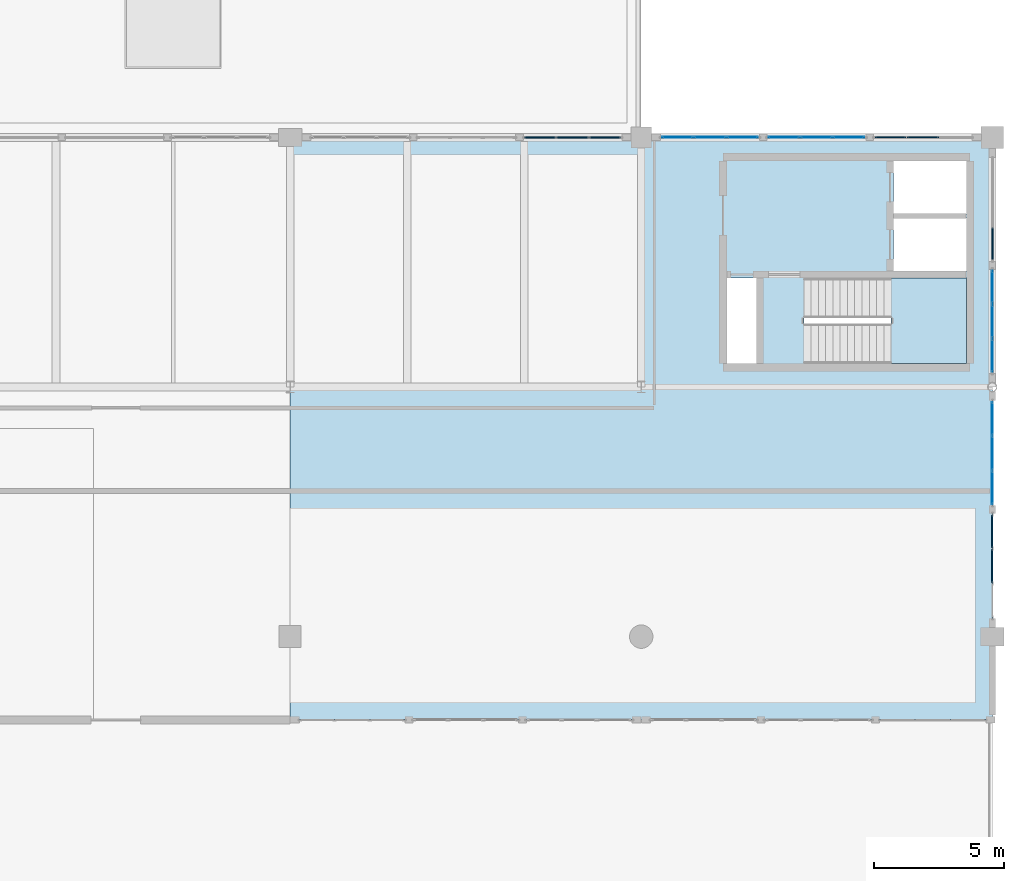
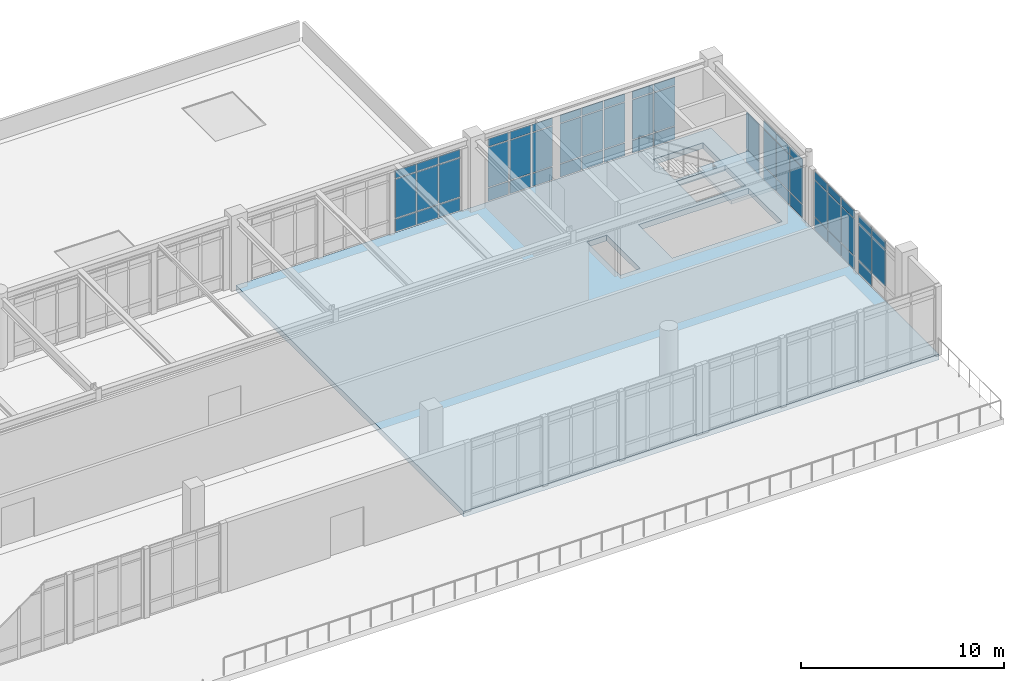
# One storey, part 45 of 55: 58 plates, 2 slabs, 9 elements without a shape of their own.
"""IFC4 building model written with IfcOpenShell, lengths in metres."""

from ifc_helpers import new_model, si_unit, direction, frame, origin, origin_2d, place, context, subcontext, project, spatial, polyline, rectangle, outline, extrude, material, layer, layer_set, type_object, element, aggregate, save


model = new_model("IFC4")

# Units and contexts
model_context = context("Model", 3, precision=1e-05, world=origin(), true_north=direction((0.0, 1.0)))
body_context = subcontext(model_context, "Body", "Model", "MODEL_VIEW")
ifc_project = project(units=[si_unit("LENGTHUNIT", "METRE"), si_unit("AREAUNIT", "SQUARE_METRE"), si_unit("VOLUMEUNIT", "CUBIC_METRE"), si_unit("PLANEANGLEUNIT", "RADIAN"), si_unit("MASSUNIT", "GRAM", prefix="KILO")], contexts=[model_context])

# Site, building, storey
site_placement = place(None, origin())
site = spatial("IfcSite", under=ifc_project, at=site_placement, CompositionType="ELEMENT")
building_placement = place(site_placement, origin())
building = spatial("IfcBuilding", under=site, at=building_placement, Name="Fikremerkos Civic Library", CompositionType="ELEMENT")
storey_placement = place(building_placement, frame((0.0, 0.0, 18.89990234375)))
storey = spatial("IfcBuildingStorey", under=building, at=storey_placement, Name="L04", CompositionType="ELEMENT", Elevation=18.89990234375)

# Curtain wall, plates
ifc_material_1 = material(Name="Anodized aluminium Frame", Category="aluminium")
ifc_layer_1 = layer(ifc_material_1, 0.159912109375, Name="Anodized aluminium Frame")
ifc_layer_set_1 = layer_set([ifc_layer_1], Name="Anodized aluminium Frame")
curtain_wall_type_1 = type_object("IfcCurtainWallType", Name="Unitised curtain wall CW-13 3700x3200", PredefinedType="USERDEFINED", material=ifc_layer_set_1)
curtain_wall_1_placement = place(storey_placement, origin())
curtain_wall_1 = element("IfcCurtainWall", 1, at=curtain_wall_1_placement, inside=storey, type_object=curtain_wall_type_1, Name="Unitised curtain wall CW-13 L04 #211", ObjectType="UNITISED CURTAIN WALL", PredefinedType="USERDEFINED")
ifc_material_2 = material(Name="Solar control double glazing", Category="glass")
ifc_layer_2 = layer(ifc_material_2, 0.028076171875, Name="Solar control double glazing")
ifc_layer_set_2 = layer_set([ifc_layer_2], Name="Solar control double glazing")
plate_type_1 = type_object("IfcPlateType", Name="Curtain glazing panel CWP-01 28", PredefinedType="CURTAIN_PANEL", material=ifc_layer_set_2)
plate_1_placement = place(storey_placement, frame((113.699951171875, 25.443359375, 0.06005859375), z_axis=(0.0, 0.0, 1.0), x_axis=(0.0, -1.0, 0.0)))
plate_1 = element("IfcPlate", 2, at=plate_1_placement, type_object=plate_type_1, Name="CW-13 panel 1.1", PredefinedType="CURTAIN_PANEL", context=body_context, shape_type="SweptSolid", body=[
    extrude(rectangle(XDim=1.236083984375, YDim=0.028076171875, at=origin_2d()), origin(), (0.0, 0.0, 1.0), 0.760009765625),
])
plate_2_placement = place(storey_placement, frame((113.699951171875, 25.443359375, 0.880126953125), z_axis=(0.0, 0.0, 1.0), x_axis=(0.0, -1.0, 0.0)))
plate_2 = element("IfcPlate", 3, at=plate_2_placement, type_object=plate_type_1, Name="CW-13 panel 1.2", PredefinedType="CURTAIN_PANEL", context=body_context, shape_type="SweptSolid", body=[
    extrude(rectangle(XDim=1.236083984375, YDim=0.028076171875, at=origin_2d()), origin(), (0.0, 0.0, 1.0), 2.169921875),
])
plate_3_placement = place(storey_placement, frame((113.699951171875, 25.443359375, 3.110107421875), z_axis=(0.0, 0.0, 1.0), x_axis=(0.0, -1.0, 0.0)))
plate_3 = element("IfcPlate", 4, at=plate_3_placement, type_object=plate_type_1, Name="CW-13 panel 1.3", PredefinedType="CURTAIN_PANEL", context=body_context, shape_type="SweptSolid", body=[
    extrude(rectangle(XDim=1.236083984375, YDim=0.028076171875, at=origin_2d()), origin(), (0.0, 0.0, 1.0), 0.4599609375),
])
plate_4_placement = place(storey_placement, frame((113.699951171875, 24.126220703125, 0.06005859375), z_axis=(0.0, 0.0, 1.0), x_axis=(0.0, -1.0, 0.0)))
plate_4 = element("IfcPlate", 5, at=plate_4_placement, type_object=plate_type_1, Name="CW-13 panel 2.1", PredefinedType="CURTAIN_PANEL", context=body_context, shape_type="SweptSolid", body=[
    extrude(rectangle(XDim=1.2685546875, YDim=0.028076171875, at=origin_2d()), origin(), (0.0, 0.0, 1.0), 0.760009765625),
])
plate_5_placement = place(storey_placement, frame((113.699951171875, 24.126220703125, 0.880126953125), z_axis=(0.0, 0.0, 1.0), x_axis=(0.0, -1.0, 0.0)))
plate_5 = element("IfcPlate", 6, at=plate_5_placement, type_object=plate_type_1, Name="CW-13 panel 2.2", PredefinedType="CURTAIN_PANEL", context=body_context, shape_type="SweptSolid", body=[
    extrude(rectangle(XDim=1.2685546875, YDim=0.028076171875, at=origin_2d()), origin(), (0.0, 0.0, 1.0), 2.169921875),
])
plate_6_placement = place(storey_placement, frame((113.699951171875, 24.126220703125, 3.110107421875), z_axis=(0.0, 0.0, 1.0), x_axis=(0.0, -1.0, 0.0)))
plate_6 = element("IfcPlate", 7, at=plate_6_placement, type_object=plate_type_1, Name="CW-13 panel 2.3", PredefinedType="CURTAIN_PANEL", context=body_context, shape_type="SweptSolid", body=[
    extrude(rectangle(XDim=1.2685546875, YDim=0.028076171875, at=origin_2d()), origin(), (0.0, 0.0, 1.0), 0.4599609375),
])
plate_7_placement = place(storey_placement, frame((113.699951171875, 22.808837890625, 0.06005859375), z_axis=(0.0, 0.0, 1.0), x_axis=(0.0, -1.0, 0.0)))
plate_7 = element("IfcPlate", 8, at=plate_7_placement, type_object=plate_type_1, Name="CW-13 panel 3.1", PredefinedType="CURTAIN_PANEL", context=body_context, shape_type="SweptSolid", body=[
    extrude(rectangle(XDim=1.236083984375, YDim=0.028076171875, at=origin_2d()), origin(), (0.0, 0.0, 1.0), 0.760009765625),
])
plate_8_placement = place(storey_placement, frame((113.699951171875, 22.808837890625, 0.880126953125), z_axis=(0.0, 0.0, 1.0), x_axis=(0.0, -1.0, 0.0)))
plate_8 = element("IfcPlate", 9, at=plate_8_placement, type_object=plate_type_1, Name="CW-13 panel 3.2", PredefinedType="CURTAIN_PANEL", context=body_context, shape_type="SweptSolid", body=[
    extrude(rectangle(XDim=1.236083984375, YDim=0.028076171875, at=origin_2d()), origin(), (0.0, 0.0, 1.0), 2.169921875),
])
plate_9_placement = place(storey_placement, frame((113.699951171875, 22.808837890625, 3.110107421875), z_axis=(0.0, 0.0, 1.0), x_axis=(0.0, -1.0, 0.0)))
plate_9 = element("IfcPlate", 10, at=plate_9_placement, type_object=plate_type_1, Name="CW-13 panel 3.3", PredefinedType="CURTAIN_PANEL", context=body_context, shape_type="SweptSolid", body=[
    extrude(rectangle(XDim=1.236083984375, YDim=0.028076171875, at=origin_2d()), origin(), (0.0, 0.0, 1.0), 0.4599609375),
])
aggregate(curtain_wall_1, [plate_1, plate_2, plate_3, plate_4, plate_5, plate_6, plate_7, plate_8, plate_9])

curtain_wall_2_placement = place(storey_placement, origin())
curtain_wall_2 = element("IfcCurtainWall", 11, at=curtain_wall_2_placement, inside=storey, type_object=curtain_wall_type_1, Name="Unitised curtain wall CW-13 L04 #247", ObjectType="UNITISED CURTAIN WALL", PredefinedType="USERDEFINED")
plate_10_placement = place(storey_placement, frame((101.596435546875, 31.199951171875, 0.06005859375), z_axis=(0.0, 0.0, 1.0), x_axis=(1.0, 0.0, 0.0)))
plate_10 = element("IfcPlate", 12, at=plate_10_placement, type_object=plate_type_1, Name="CW-13 panel 1.1", PredefinedType="CURTAIN_PANEL", context=body_context, shape_type="SweptSolid", body=[
    extrude(rectangle(XDim=1.166748046875, YDim=0.028076171875, at=origin_2d()), origin(), (0.0, 0.0, 1.0), 0.760009765625),
])
plate_11_placement = place(storey_placement, frame((101.596435546875, 31.199951171875, 0.880126953125), z_axis=(0.0, 0.0, 1.0), x_axis=(1.0, 0.0, 0.0)))
plate_11 = element("IfcPlate", 13, at=plate_11_placement, type_object=plate_type_1, Name="CW-13 panel 1.2", PredefinedType="CURTAIN_PANEL", context=body_context, shape_type="SweptSolid", body=[
    extrude(rectangle(XDim=1.166748046875, YDim=0.028076171875, at=origin_2d()), origin(), (0.0, 0.0, 1.0), 2.3798828125),
])
plate_12_placement = place(storey_placement, frame((101.596435546875, 31.199951171875, 3.320068359375), z_axis=(0.0, 0.0, 1.0), x_axis=(1.0, 0.0, 0.0)))
plate_12 = element("IfcPlate", 14, at=plate_12_placement, type_object=plate_type_1, Name="CW-13 panel 1.3", PredefinedType="CURTAIN_PANEL", context=body_context, shape_type="SweptSolid", body=[
    extrude(rectangle(XDim=1.166748046875, YDim=0.028076171875, at=origin_2d()), origin(), (0.0, 0.0, 1.0), 0.4599609375),
])
plate_13_placement = place(storey_placement, frame((102.844482421875, 31.199951171875, 0.06005859375), z_axis=(0.0, 0.0, 1.0), x_axis=(1.0, 0.0, 0.0)))
plate_13 = element("IfcPlate", 15, at=plate_13_placement, type_object=plate_type_1, Name="CW-13 panel 2.1", PredefinedType="CURTAIN_PANEL", context=body_context, shape_type="SweptSolid", body=[
    extrude(rectangle(XDim=1.19921875, YDim=0.028076171875, at=origin_2d()), origin(), (0.0, 0.0, 1.0), 0.760009765625),
])
plate_14_placement = place(storey_placement, frame((102.844482421875, 31.199951171875, 0.880126953125), z_axis=(0.0, 0.0, 1.0), x_axis=(1.0, 0.0, 0.0)))
plate_14 = element("IfcPlate", 16, at=plate_14_placement, type_object=plate_type_1, Name="CW-13 panel 2.2", PredefinedType="CURTAIN_PANEL", context=body_context, shape_type="SweptSolid", body=[
    extrude(rectangle(XDim=1.19921875, YDim=0.028076171875, at=origin_2d()), origin(), (0.0, 0.0, 1.0), 2.3798828125),
])
plate_15_placement = place(storey_placement, frame((102.844482421875, 31.199951171875, 3.320068359375), z_axis=(0.0, 0.0, 1.0), x_axis=(1.0, 0.0, 0.0)))
plate_15 = element("IfcPlate", 17, at=plate_15_placement, type_object=plate_type_1, Name="CW-13 panel 2.3", PredefinedType="CURTAIN_PANEL", context=body_context, shape_type="SweptSolid", body=[
    extrude(rectangle(XDim=1.19921875, YDim=0.028076171875, at=origin_2d()), origin(), (0.0, 0.0, 1.0), 0.4599609375),
])
plate_16_placement = place(storey_placement, frame((104.092529296875, 31.199951171875, 0.06005859375), z_axis=(0.0, 0.0, 1.0), x_axis=(1.0, 0.0, 0.0)))
plate_16 = element("IfcPlate", 18, at=plate_16_placement, type_object=plate_type_1, Name="CW-13 panel 3.1", PredefinedType="CURTAIN_PANEL", context=body_context, shape_type="SweptSolid", body=[
    extrude(rectangle(XDim=1.166748046875, YDim=0.028076171875, at=origin_2d()), origin(), (0.0, 0.0, 1.0), 0.760009765625),
])
plate_17_placement = place(storey_placement, frame((104.092529296875, 31.199951171875, 0.880126953125), z_axis=(0.0, 0.0, 1.0), x_axis=(1.0, 0.0, 0.0)))
plate_17 = element("IfcPlate", 19, at=plate_17_placement, type_object=plate_type_1, Name="CW-13 panel 3.2", PredefinedType="CURTAIN_PANEL", context=body_context, shape_type="SweptSolid", body=[
    extrude(rectangle(XDim=1.166748046875, YDim=0.028076171875, at=origin_2d()), origin(), (0.0, 0.0, 1.0), 2.3798828125),
])
plate_18_placement = place(storey_placement, frame((104.092529296875, 31.199951171875, 3.320068359375), z_axis=(0.0, 0.0, 1.0), x_axis=(1.0, 0.0, 0.0)))
plate_18 = element("IfcPlate", 20, at=plate_18_placement, type_object=plate_type_1, Name="CW-13 panel 3.3", PredefinedType="CURTAIN_PANEL", context=body_context, shape_type="SweptSolid", body=[
    extrude(rectangle(XDim=1.166748046875, YDim=0.028076171875, at=origin_2d()), origin(), (0.0, 0.0, 1.0), 0.4599609375),
])
aggregate(curtain_wall_2, [plate_10, plate_11, plate_12, plate_13, plate_14, plate_15, plate_16, plate_17, plate_18])

ifc_layer_3 = layer(ifc_material_1, 0.159912109375, Name="Anodized aluminium Frame")
ifc_layer_set_3 = layer_set([ifc_layer_3], Name="Anodized aluminium Frame")
curtain_wall_type_2 = type_object("IfcCurtainWallType", Name="Unitised curtain wall CW-14 4100x3200", PredefinedType="USERDEFINED", material=ifc_layer_set_3)
curtain_wall_3_placement = place(storey_placement, origin())
curtain_wall_3 = element("IfcCurtainWall", 21, at=curtain_wall_3_placement, inside=storey, type_object=curtain_wall_type_2, Name="Unitised curtain wall CW-14 L04 #212", ObjectType="UNITISED CURTAIN WALL", PredefinedType="USERDEFINED")
ifc_layer_4 = layer(ifc_material_2, 0.035888671875, Name="Solar control double glazing")
ifc_layer_set_4 = layer_set([ifc_layer_4], Name="Solar control double glazing")
plate_type_2 = type_object("IfcPlateType", Name="Curtain glazing panel CWP-02 36", PredefinedType="CURTAIN_PANEL", material=ifc_layer_set_4)
plate_19_placement = place(storey_placement, frame((113.699951171875, 20.38623046875, 0.06005859375), z_axis=(0.0, 0.0, 1.0), x_axis=(0.0, -1.0, 0.0)))
plate_19 = element("IfcPlate", 22, at=plate_19_placement, type_object=plate_type_2, Name="CW-14 panel 1.1", PredefinedType="CURTAIN_PANEL", context=body_context, shape_type="SweptSolid", body=[
    extrude(rectangle(XDim=1.256103515625, YDim=0.035888671875, at=origin_2d()), origin(), (0.0, 0.0, 1.0), 0.760009765625),
])
plate_20_placement = place(storey_placement, frame((113.699951171875, 20.38623046875, 0.880126953125), z_axis=(0.0, 0.0, 1.0), x_axis=(0.0, -1.0, 0.0)))
plate_20 = element("IfcPlate", 23, at=plate_20_placement, type_object=plate_type_2, Name="CW-14 panel 1.2", PredefinedType="CURTAIN_PANEL", context=body_context, shape_type="SweptSolid", body=[
    extrude(rectangle(XDim=1.256103515625, YDim=0.035888671875, at=origin_2d()), origin(), (0.0, 0.0, 1.0), 2.169921875),
])
plate_21_placement = place(storey_placement, frame((113.699951171875, 20.38623046875, 3.110107421875), z_axis=(0.0, 0.0, 1.0), x_axis=(0.0, -1.0, 0.0)))
plate_21 = element("IfcPlate", 24, at=plate_21_placement, type_object=plate_type_2, Name="CW-14 panel 1.3", PredefinedType="CURTAIN_PANEL", context=body_context, shape_type="SweptSolid", body=[
    extrude(rectangle(XDim=1.256103515625, YDim=0.035888671875, at=origin_2d()), origin(), (0.0, 0.0, 1.0), 0.4599609375),
])
plate_22_placement = place(storey_placement, frame((113.699951171875, 19.05517578125, 0.06005859375), z_axis=(0.0, 0.0, 1.0), x_axis=(0.0, -1.0, 0.0)))
plate_22 = element("IfcPlate", 25, at=plate_22_placement, type_object=plate_type_2, Name="CW-14 panel 2.1", PredefinedType="CURTAIN_PANEL", context=body_context, shape_type="SweptSolid", body=[
    extrude(rectangle(XDim=1.2861328125, YDim=0.035888671875, at=origin_2d()), origin(), (0.0, 0.0, 1.0), 0.760009765625),
])
plate_23_placement = place(storey_placement, frame((113.699951171875, 19.05517578125, 0.880126953125), z_axis=(0.0, 0.0, 1.0), x_axis=(0.0, -1.0, 0.0)))
plate_23 = element("IfcPlate", 26, at=plate_23_placement, type_object=plate_type_2, Name="CW-14 panel 2.2", PredefinedType="CURTAIN_PANEL", context=body_context, shape_type="SweptSolid", body=[
    extrude(rectangle(XDim=1.2861328125, YDim=0.035888671875, at=origin_2d()), origin(), (0.0, 0.0, 1.0), 2.169921875),
])
plate_24_placement = place(storey_placement, frame((113.699951171875, 19.05517578125, 3.110107421875), z_axis=(0.0, 0.0, 1.0), x_axis=(0.0, -1.0, 0.0)))
plate_24 = element("IfcPlate", 27, at=plate_24_placement, type_object=plate_type_2, Name="CW-14 panel 2.3", PredefinedType="CURTAIN_PANEL", context=body_context, shape_type="SweptSolid", body=[
    extrude(rectangle(XDim=1.2861328125, YDim=0.035888671875, at=origin_2d()), origin(), (0.0, 0.0, 1.0), 0.4599609375),
])
plate_25_placement = place(storey_placement, frame((113.699951171875, 17.72412109375, 0.06005859375), z_axis=(0.0, 0.0, 1.0), x_axis=(0.0, -1.0, 0.0)))
plate_25 = element("IfcPlate", 28, at=plate_25_placement, type_object=plate_type_2, Name="CW-14 panel 3.1", PredefinedType="CURTAIN_PANEL", context=body_context, shape_type="SweptSolid", body=[
    extrude(rectangle(XDim=1.256103515625, YDim=0.035888671875, at=origin_2d()), origin(), (0.0, 0.0, 1.0), 0.760009765625),
])
plate_26_placement = place(storey_placement, frame((113.699951171875, 17.72412109375, 0.880126953125), z_axis=(0.0, 0.0, 1.0), x_axis=(0.0, -1.0, 0.0)))
plate_26 = element("IfcPlate", 29, at=plate_26_placement, type_object=plate_type_2, Name="CW-14 panel 3.2", PredefinedType="CURTAIN_PANEL", context=body_context, shape_type="SweptSolid", body=[
    extrude(rectangle(XDim=1.256103515625, YDim=0.035888671875, at=origin_2d()), origin(), (0.0, 0.0, 1.0), 2.169921875),
])
plate_27_placement = place(storey_placement, frame((113.699951171875, 17.72412109375, 3.110107421875), z_axis=(0.0, 0.0, 1.0), x_axis=(0.0, -1.0, 0.0)))
plate_27 = element("IfcPlate", 30, at=plate_27_placement, type_object=plate_type_2, Name="CW-14 panel 3.3", PredefinedType="CURTAIN_PANEL", context=body_context, shape_type="SweptSolid", body=[
    extrude(rectangle(XDim=1.256103515625, YDim=0.035888671875, at=origin_2d()), origin(), (0.0, 0.0, 1.0), 0.4599609375),
])
aggregate(curtain_wall_3, [plate_19, plate_20, plate_21, plate_22, plate_23, plate_24, plate_25, plate_26, plate_27])

curtain_wall_4_placement = place(storey_placement, origin())
curtain_wall_4 = element("IfcCurtainWall", 31, at=curtain_wall_4_placement, inside=storey, type_object=curtain_wall_type_2, Name="Unitised curtain wall CW-14 L04 #248", ObjectType="UNITISED CURTAIN WALL", PredefinedType="USERDEFINED")
plate_28_placement = place(storey_placement, frame((105.688232421875, 31.199951171875, 0.06005859375), z_axis=(0.0, 0.0, 1.0), x_axis=(1.0, 0.0, 0.0)))
plate_28 = element("IfcPlate", 32, at=plate_28_placement, type_object=plate_type_2, Name="CW-14 panel 1.1", PredefinedType="CURTAIN_PANEL", context=body_context, shape_type="SweptSolid", body=[
    extrude(rectangle(XDim=1.17431640625, YDim=0.035888671875, at=origin_2d()), origin(), (0.0, 0.0, 1.0), 0.760009765625),
])
plate_29_placement = place(storey_placement, frame((105.688232421875, 31.199951171875, 0.880126953125), z_axis=(0.0, 0.0, 1.0), x_axis=(1.0, 0.0, 0.0)))
plate_29 = element("IfcPlate", 33, at=plate_29_placement, type_object=plate_type_2, Name="CW-14 panel 1.2", PredefinedType="CURTAIN_PANEL", context=body_context, shape_type="SweptSolid", body=[
    extrude(rectangle(XDim=1.17431640625, YDim=0.035888671875, at=origin_2d()), origin(), (0.0, 0.0, 1.0), 2.3798828125),
])
plate_30_placement = place(storey_placement, frame((105.688232421875, 31.199951171875, 3.320068359375), z_axis=(0.0, 0.0, 1.0), x_axis=(1.0, 0.0, 0.0)))
plate_30 = element("IfcPlate", 34, at=plate_30_placement, type_object=plate_type_2, Name="CW-14 panel 1.3", PredefinedType="CURTAIN_PANEL", context=body_context, shape_type="SweptSolid", body=[
    extrude(rectangle(XDim=1.17431640625, YDim=0.035888671875, at=origin_2d()), origin(), (0.0, 0.0, 1.0), 0.4599609375),
])
plate_31_placement = place(storey_placement, frame((106.9375, 31.199951171875, 0.06005859375), z_axis=(0.0, 0.0, 1.0), x_axis=(1.0, 0.0, 0.0)))
plate_31 = element("IfcPlate", 35, at=plate_31_placement, type_object=plate_type_2, Name="CW-14 panel 2.1", PredefinedType="CURTAIN_PANEL", context=body_context, shape_type="SweptSolid", body=[
    extrude(rectangle(XDim=1.204345703125, YDim=0.035888671875, at=origin_2d()), origin(), (0.0, 0.0, 1.0), 0.760009765625),
])
plate_32_placement = place(storey_placement, frame((106.9375, 31.199951171875, 0.880126953125), z_axis=(0.0, 0.0, 1.0), x_axis=(1.0, 0.0, 0.0)))
plate_32 = element("IfcPlate", 36, at=plate_32_placement, type_object=plate_type_2, Name="CW-14 panel 2.2", PredefinedType="CURTAIN_PANEL", context=body_context, shape_type="SweptSolid", body=[
    extrude(rectangle(XDim=1.204345703125, YDim=0.035888671875, at=origin_2d()), origin(), (0.0, 0.0, 1.0), 2.3798828125),
])
plate_33_placement = place(storey_placement, frame((106.9375, 31.199951171875, 3.320068359375), z_axis=(0.0, 0.0, 1.0), x_axis=(1.0, 0.0, 0.0)))
plate_33 = element("IfcPlate", 37, at=plate_33_placement, type_object=plate_type_2, Name="CW-14 panel 2.3", PredefinedType="CURTAIN_PANEL", context=body_context, shape_type="SweptSolid", body=[
    extrude(rectangle(XDim=1.204345703125, YDim=0.035888671875, at=origin_2d()), origin(), (0.0, 0.0, 1.0), 0.4599609375),
])
plate_34_placement = place(storey_placement, frame((108.186767578125, 31.199951171875, 0.06005859375), z_axis=(0.0, 0.0, 1.0), x_axis=(1.0, 0.0, 0.0)))
plate_34 = element("IfcPlate", 38, at=plate_34_placement, type_object=plate_type_2, Name="CW-14 panel 3.1", PredefinedType="CURTAIN_PANEL", context=body_context, shape_type="SweptSolid", body=[
    extrude(rectangle(XDim=1.17431640625, YDim=0.035888671875, at=origin_2d()), origin(), (0.0, 0.0, 1.0), 0.760009765625),
])
plate_35_placement = place(storey_placement, frame((108.186767578125, 31.199951171875, 0.880126953125), z_axis=(0.0, 0.0, 1.0), x_axis=(1.0, 0.0, 0.0)))
plate_35 = element("IfcPlate", 39, at=plate_35_placement, type_object=plate_type_2, Name="CW-14 panel 3.2", PredefinedType="CURTAIN_PANEL", context=body_context, shape_type="SweptSolid", body=[
    extrude(rectangle(XDim=1.17431640625, YDim=0.035888671875, at=origin_2d()), origin(), (0.0, 0.0, 1.0), 2.3798828125),
])
plate_36_placement = place(storey_placement, frame((108.186767578125, 31.199951171875, 3.320068359375), z_axis=(0.0, 0.0, 1.0), x_axis=(1.0, 0.0, 0.0)))
plate_36 = element("IfcPlate", 40, at=plate_36_placement, type_object=plate_type_2, Name="CW-14 panel 3.3", PredefinedType="CURTAIN_PANEL", context=body_context, shape_type="SweptSolid", body=[
    extrude(rectangle(XDim=1.17431640625, YDim=0.035888671875, at=origin_2d()), origin(), (0.0, 0.0, 1.0), 0.4599609375),
])
aggregate(curtain_wall_4, [plate_28, plate_29, plate_30, plate_31, plate_32, plate_33, plate_34, plate_35, plate_36])

ifc_layer_5 = layer(ifc_material_1, 0.159912109375, Name="Anodized aluminium Frame")
ifc_layer_set_5 = layer_set([ifc_layer_5], Name="Anodized aluminium Frame")
curtain_wall_type_3 = type_object("IfcCurtainWallType", Name="Unitised curtain wall CW-15 2900x3600", PredefinedType="USERDEFINED", material=ifc_layer_set_5)
curtain_wall_5_placement = place(storey_placement, origin())
curtain_wall_5 = element("IfcCurtainWall", 41, at=curtain_wall_5_placement, inside=storey, type_object=curtain_wall_type_3, Name="Unitised curtain wall CW-15 L04 #213", ObjectType="UNITISED CURTAIN WALL", PredefinedType="USERDEFINED")
ifc_material_3 = material(Name="Insulated aluminium spandrel", Category="aluminium")
ifc_layer_6 = layer(ifc_material_3, 0.044921875, Name="Insulated aluminium spandrel")
ifc_layer_set_6 = layer_set([ifc_layer_6], Name="Insulated aluminium spandrel")
plate_type_3 = type_object("IfcPlateType", Name="Curtain spandrel panel CSP-01 45", PredefinedType="CURTAIN_PANEL", material=ifc_layer_set_6)
plate_37_placement = place(storey_placement, frame((113.699951171875, 16.048095703125, 0.070068359375), z_axis=(0.0, 0.0, 1.0), x_axis=(0.0, -1.0, 0.0)))
plate_37 = element("IfcPlate", 42, at=plate_37_placement, type_object=plate_type_3, Name="CW-15 panel 1.1", PredefinedType="CURTAIN_PANEL", context=body_context, shape_type="SweptSolid", body=[
    extrude(rectangle(XDim=1.256103515625, YDim=0.044921875, at=origin_2d()), origin(), (0.0, 0.0, 1.0), 0.7451171875),
])
plate_38_placement = place(storey_placement, frame((113.699951171875, 16.048095703125, 0.88525390625), z_axis=(0.0, 0.0, 1.0), x_axis=(0.0, -1.0, 0.0)))
plate_38 = element("IfcPlate", 43, at=plate_38_placement, type_object=plate_type_3, Name="CW-15 panel 1.2", PredefinedType="CURTAIN_PANEL", context=body_context, shape_type="SweptSolid", body=[
    extrude(rectangle(XDim=1.256103515625, YDim=0.044921875, at=origin_2d()), origin(), (0.0, 0.0, 1.0), 2.159912109375),
])
plate_39_placement = place(storey_placement, frame((113.699951171875, 16.048095703125, 3.115234375), z_axis=(0.0, 0.0, 1.0), x_axis=(0.0, -1.0, 0.0)))
plate_39 = element("IfcPlate", 44, at=plate_39_placement, type_object=plate_type_3, Name="CW-15 panel 1.3", PredefinedType="CURTAIN_PANEL", context=body_context, shape_type="SweptSolid", body=[
    extrude(rectangle(XDim=1.256103515625, YDim=0.044921875, at=origin_2d()), origin(), (0.0, 0.0, 1.0), 0.445068359375),
])
plate_40_placement = place(storey_placement, frame((113.699951171875, 14.717041015625, 0.88525390625), z_axis=(0.0, 0.0, 1.0), x_axis=(0.0, -1.0, 0.0)))
plate_40 = element("IfcPlate", 45, at=plate_40_placement, type_object=plate_type_3, Name="CW-15 panel 2.2", PredefinedType="CURTAIN_PANEL", context=body_context, shape_type="SweptSolid", body=[
    extrude(rectangle(XDim=1.2861328125, YDim=0.044921875, at=origin_2d()), origin(), (0.0, 0.0, 1.0), 2.159912109375),
])
plate_41_placement = place(storey_placement, frame((113.699951171875, 14.717041015625, 3.115234375), z_axis=(0.0, 0.0, 1.0), x_axis=(0.0, -1.0, 0.0)))
plate_41 = element("IfcPlate", 46, at=plate_41_placement, type_object=plate_type_3, Name="CW-15 panel 2.3", PredefinedType="CURTAIN_PANEL", context=body_context, shape_type="SweptSolid", body=[
    extrude(rectangle(XDim=1.2861328125, YDim=0.044921875, at=origin_2d()), origin(), (0.0, 0.0, 1.0), 0.445068359375),
])
aggregate(curtain_wall_5, [plate_37, plate_38, plate_39, plate_40, plate_41])

curtain_wall_6_placement = place(storey_placement, origin())
curtain_wall_6 = element("IfcCurtainWall", 47, at=curtain_wall_6_placement, inside=storey, type_object=curtain_wall_type_3, Name="Unitised curtain wall CW-15 L04 #249", ObjectType="UNITISED CURTAIN WALL", PredefinedType="USERDEFINED")
plate_42_placement = place(storey_placement, frame((109.78125, 31.199951171875, 0.070068359375), z_axis=(0.0, 0.0, 1.0), x_axis=(1.0, 0.0, 0.0)))
plate_42 = element("IfcPlate", 48, at=plate_42_placement, type_object=plate_type_3, Name="CW-15 panel 1.1", PredefinedType="CURTAIN_PANEL", context=body_context, shape_type="SweptSolid", body=[
    extrude(rectangle(XDim=1.17431640625, YDim=0.044921875, at=origin_2d()), origin(), (0.0, 0.0, 1.0), 0.7451171875),
])
plate_43_placement = place(storey_placement, frame((109.78125, 31.199951171875, 0.885009765625), z_axis=(0.0, 0.0, 1.0), x_axis=(1.0, 0.0, 0.0)))
plate_43 = element("IfcPlate", 49, at=plate_43_placement, type_object=plate_type_3, Name="CW-15 panel 1.2", PredefinedType="CURTAIN_PANEL", context=body_context, shape_type="SweptSolid", body=[
    extrude(rectangle(XDim=1.17431640625, YDim=0.044921875, at=origin_2d()), origin(), (0.0, 0.0, 1.0), 2.3701171875),
])
plate_44_placement = place(storey_placement, frame((109.78125, 31.199951171875, 3.3251953125), z_axis=(0.0, 0.0, 1.0), x_axis=(1.0, 0.0, 0.0)))
plate_44 = element("IfcPlate", 50, at=plate_44_placement, type_object=plate_type_3, Name="CW-15 panel 1.3", PredefinedType="CURTAIN_PANEL", context=body_context, shape_type="SweptSolid", body=[
    extrude(rectangle(XDim=1.17431640625, YDim=0.044921875, at=origin_2d()), origin(), (0.0, 0.0, 1.0), 0.445068359375),
])
plate_45_placement = place(storey_placement, frame((111.030517578125, 31.199951171875, 0.070068359375), z_axis=(0.0, 0.0, 1.0), x_axis=(1.0, 0.0, 0.0)))
plate_45 = element("IfcPlate", 51, at=plate_45_placement, type_object=plate_type_3, Name="CW-15 panel 2.1", PredefinedType="CURTAIN_PANEL", context=body_context, shape_type="SweptSolid", body=[
    extrude(rectangle(XDim=1.204345703125, YDim=0.044921875, at=origin_2d()), origin(), (0.0, 0.0, 1.0), 0.7451171875),
])
plate_46_placement = place(storey_placement, frame((111.030517578125, 31.199951171875, 0.885009765625), z_axis=(0.0, 0.0, 1.0), x_axis=(1.0, 0.0, 0.0)))
plate_46 = element("IfcPlate", 52, at=plate_46_placement, type_object=plate_type_3, Name="CW-15 panel 2.2", PredefinedType="CURTAIN_PANEL", context=body_context, shape_type="SweptSolid", body=[
    extrude(rectangle(XDim=1.204345703125, YDim=0.044921875, at=origin_2d()), origin(), (0.0, 0.0, 1.0), 2.3701171875),
])
plate_47_placement = place(storey_placement, frame((111.030517578125, 31.199951171875, 3.3251953125), z_axis=(0.0, 0.0, 1.0), x_axis=(1.0, 0.0, 0.0)))
plate_47 = element("IfcPlate", 53, at=plate_47_placement, type_object=plate_type_3, Name="CW-15 panel 2.3", PredefinedType="CURTAIN_PANEL", context=body_context, shape_type="SweptSolid", body=[
    extrude(rectangle(XDim=1.204345703125, YDim=0.044921875, at=origin_2d()), origin(), (0.0, 0.0, 1.0), 0.445068359375),
])
aggregate(curtain_wall_6, [plate_42, plate_43, plate_44, plate_45, plate_46, plate_47])

ifc_layer_7 = layer(ifc_material_1, 0.159912109375, Name="Anodized aluminium Frame")
ifc_layer_set_7 = layer_set([ifc_layer_7], Name="Anodized aluminium Frame")
curtain_wall_type_4 = type_object("IfcCurtainWallType", Name="Unitised curtain wall CW-12 4300x3400", PredefinedType="USERDEFINED", material=ifc_layer_set_7)
curtain_wall_7_placement = place(storey_placement, origin())
curtain_wall_7 = element("IfcCurtainWall", 54, at=curtain_wall_7_placement, inside=storey, type_object=curtain_wall_type_4, Name="Unitised curtain wall CW-12 L04 #210", ObjectType="UNITISED CURTAIN WALL", PredefinedType="USERDEFINED")
ifc_layer_8 = layer(ifc_material_3, 0.054931640625, Name="Insulated aluminium spandrel")
ifc_layer_set_8 = layer_set([ifc_layer_8], Name="Insulated aluminium spandrel")
plate_type_4 = type_object("IfcPlateType", Name="Curtain spandrel panel CSP-02 55", PredefinedType="CURTAIN_PANEL", material=ifc_layer_set_8)
plate_48_placement = place(storey_placement, frame((113.699951171875, 27.108154296875, 0.065185546875), z_axis=(0.0, 0.0, 1.0), x_axis=(0.0, -1.0, 0.0)))
plate_48 = element("IfcPlate", 55, at=plate_48_placement, type_object=plate_type_4, Name="CW-12 panel 3.1", PredefinedType="CURTAIN_PANEL", context=body_context, shape_type="SweptSolid", body=[
    extrude(rectangle(XDim=1.24365234375, YDim=0.054931640625, at=origin_2d()), origin(), (0.0, 0.0, 1.0), 0.75244140625),
])
plate_49_placement = place(storey_placement, frame((113.699951171875, 27.108154296875, 0.882568359375), z_axis=(0.0, 0.0, 1.0), x_axis=(0.0, -1.0, 0.0)))
plate_49 = element("IfcPlate", 56, at=plate_49_placement, type_object=plate_type_4, Name="CW-12 panel 3.2", PredefinedType="CURTAIN_PANEL", context=body_context, shape_type="SweptSolid", body=[
    extrude(rectangle(XDim=1.24365234375, YDim=0.054931640625, at=origin_2d()), origin(), (0.0, 0.0, 1.0), 2.1650390625),
])
aggregate(curtain_wall_7, [plate_48, plate_49])

curtain_wall_8_placement = place(storey_placement, origin())
curtain_wall_8 = element("IfcCurtainWall", 57, at=curtain_wall_8_placement, inside=storey, type_object=curtain_wall_type_4, Name="Unitised curtain wall CW-12 L04 #246", ObjectType="UNITISED CURTAIN WALL", PredefinedType="USERDEFINED")
plate_50_placement = place(storey_placement, frame((96.31298828125, 31.199951171875, 0.065185546875), z_axis=(0.0, 0.0, 1.0), x_axis=(1.0, 0.0, 0.0)))
plate_50 = element("IfcPlate", 58, at=plate_50_placement, type_object=plate_type_4, Name="CW-12 panel 1.1", PredefinedType="CURTAIN_PANEL", context=body_context, shape_type="SweptSolid", body=[
    extrude(rectangle(XDim=1.171630859375, YDim=0.054931640625, at=origin_2d()), origin(), (0.0, 0.0, 1.0), 0.75244140625),
])
plate_51_placement = place(storey_placement, frame((96.31298828125, 31.199951171875, 0.8828125), z_axis=(0.0, 0.0, 1.0), x_axis=(1.0, 0.0, 0.0)))
plate_51 = element("IfcPlate", 59, at=plate_51_placement, type_object=plate_type_4, Name="CW-12 panel 1.2", PredefinedType="CURTAIN_PANEL", context=body_context, shape_type="SweptSolid", body=[
    extrude(rectangle(XDim=1.171630859375, YDim=0.054931640625, at=origin_2d()), origin(), (0.0, 0.0, 1.0), 2.324951171875),
])
plate_52_placement = place(storey_placement, frame((96.31298828125, 31.199951171875, 3.2724609375), z_axis=(0.0, 0.0, 1.0), x_axis=(1.0, 0.0, 0.0)))
plate_52 = element("IfcPlate", 60, at=plate_52_placement, type_object=plate_type_4, Name="CW-12 panel 1.3", PredefinedType="CURTAIN_PANEL", context=body_context, shape_type="SweptSolid", body=[
    extrude(rectangle(XDim=1.171630859375, YDim=0.054931640625, at=origin_2d()), origin(), (0.0, 0.0, 1.0), 0.452392578125),
])
plate_53_placement = place(storey_placement, frame((97.5595703125, 31.199951171875, 0.065185546875), z_axis=(0.0, 0.0, 1.0), x_axis=(1.0, 0.0, 0.0)))
plate_53 = element("IfcPlate", 61, at=plate_53_placement, type_object=plate_type_4, Name="CW-12 panel 2.1", PredefinedType="CURTAIN_PANEL", context=body_context, shape_type="SweptSolid", body=[
    extrude(rectangle(XDim=1.20166015625, YDim=0.054931640625, at=origin_2d()), origin(), (0.0, 0.0, 1.0), 0.75244140625),
])
plate_54_placement = place(storey_placement, frame((97.5595703125, 31.199951171875, 0.8828125), z_axis=(0.0, 0.0, 1.0), x_axis=(1.0, 0.0, 0.0)))
plate_54 = element("IfcPlate", 62, at=plate_54_placement, type_object=plate_type_4, Name="CW-12 panel 2.2", PredefinedType="CURTAIN_PANEL", context=body_context, shape_type="SweptSolid", body=[
    extrude(rectangle(XDim=1.20166015625, YDim=0.054931640625, at=origin_2d()), origin(), (0.0, 0.0, 1.0), 2.324951171875),
])
plate_55_placement = place(storey_placement, frame((97.5595703125, 31.199951171875, 3.2724609375), z_axis=(0.0, 0.0, 1.0), x_axis=(1.0, 0.0, 0.0)))
plate_55 = element("IfcPlate", 63, at=plate_55_placement, type_object=plate_type_4, Name="CW-12 panel 2.3", PredefinedType="CURTAIN_PANEL", context=body_context, shape_type="SweptSolid", body=[
    extrude(rectangle(XDim=1.20166015625, YDim=0.054931640625, at=origin_2d()), origin(), (0.0, 0.0, 1.0), 0.452392578125),
])
plate_56_placement = place(storey_placement, frame((98.80615234375, 31.199951171875, 0.065185546875), z_axis=(0.0, 0.0, 1.0), x_axis=(1.0, 0.0, 0.0)))
plate_56 = element("IfcPlate", 64, at=plate_56_placement, type_object=plate_type_4, Name="CW-12 panel 3.1", PredefinedType="CURTAIN_PANEL", context=body_context, shape_type="SweptSolid", body=[
    extrude(rectangle(XDim=1.171630859375, YDim=0.054931640625, at=origin_2d()), origin(), (0.0, 0.0, 1.0), 0.75244140625),
])
plate_57_placement = place(storey_placement, frame((98.80615234375, 31.199951171875, 0.8828125), z_axis=(0.0, 0.0, 1.0), x_axis=(1.0, 0.0, 0.0)))
plate_57 = element("IfcPlate", 65, at=plate_57_placement, type_object=plate_type_4, Name="CW-12 panel 3.2", PredefinedType="CURTAIN_PANEL", context=body_context, shape_type="SweptSolid", body=[
    extrude(rectangle(XDim=1.171630859375, YDim=0.054931640625, at=origin_2d()), origin(), (0.0, 0.0, 1.0), 2.324951171875),
])
plate_58_placement = place(storey_placement, frame((98.80615234375, 31.199951171875, 3.2724609375), z_axis=(0.0, 0.0, 1.0), x_axis=(1.0, 0.0, 0.0)))
plate_58 = element("IfcPlate", 66, at=plate_58_placement, type_object=plate_type_4, Name="CW-12 panel 3.3", PredefinedType="CURTAIN_PANEL", context=body_context, shape_type="SweptSolid", body=[
    extrude(rectangle(XDim=1.171630859375, YDim=0.054931640625, at=origin_2d()), origin(), (0.0, 0.0, 1.0), 0.452392578125),
])
aggregate(curtain_wall_8, [plate_50, plate_51, plate_52, plate_53, plate_54, plate_55, plate_56, plate_57, plate_58])

# Stair, slab
ifc_material_4 = material(Name="Concrete C40/50", Category="concrete")
stair_type = type_object("IfcStairType", Name="Half turn stair ST-HT-03 W1550 H4500", PredefinedType="HALF_TURN_STAIR", material=ifc_material_4)
stair_placement = place(storey_placement, origin())
stair = element("IfcStair", 67, at=stair_placement, inside=storey, type_object=stair_type, Name="L04 ST-K2", PredefinedType="HALF_TURN_STAIR")
ifc_layer_9 = layer(ifc_material_4, 0.199951171875, Name="Concrete C40/50")
ifc_layer_set_9 = layer_set([ifc_layer_9], Name="Concrete C40/50")
slab_type_1 = type_object("IfcSlabType", Name="Stair landing slab SLS-01 200", PredefinedType="LANDING", material=ifc_layer_set_9)
slab_1_placement = place(storey_placement, frame((0.0, 0.0, 2.050048828125)))
slab_1 = element("IfcSlab", 68, at=slab_1_placement, type_object=slab_type_1, Name="ST-K2 landing 1", PredefinedType="LANDING", context=body_context, shape_type="SweptSolid", body=[
    extrude(outline(polyline([(109.81005859375, 22.5), (112.699951171875, 22.5), (112.699951171875, 25.800048828125), (109.81005859375, 25.800048828125), (109.81005859375, 22.5)])), origin(), (0.0, 0.0, 1.0), 0.199951171875),
])
aggregate(stair, [slab_1])

# Slab
ifc_layer_10 = layer(ifc_material_4, 0.340087890625, Name="Concrete C40/50")
ifc_layer_set_10 = layer_set([ifc_layer_10], Name="Concrete C40/50")
slab_type_2 = type_object("IfcSlabType", Name="Suspended floor slab SFS-01 340", PredefinedType="FLOOR", material=ifc_layer_set_10)
slab_2_placement = place(storey_placement, frame((0.0, 0.0, -0.33984375)))
element("IfcSlab", 69, at=slab_2_placement, inside=storey, type_object=slab_type_2, Name="Floor slab SFS-01 SLB-L04-V1-H-3", PredefinedType="FLOOR", context=body_context, shape_type="SweptSolid", body=[
    extrude(outline(polyline([(86.699951171875, 8.800048828125), (113.699951171875, 8.800048828125), (113.699951171875, 31.199951171875), (86.699951171875, 31.199951171875), (86.699951171875, 8.800048828125)]), holes=[polyline([(106.449951171875, 22.5), (112.699951171875, 22.5), (112.699951171875, 25.800048828125), (106.449951171875, 25.800048828125), (106.449951171875, 22.5)]), polyline([(109.89990234375, 26.06005859375), (112.699951171875, 26.06005859375), (112.699951171875, 28.10009765625), (109.89990234375, 28.10009765625), (109.89990234375, 26.06005859375)]), polyline([(109.89990234375, 28.260009765625), (112.699951171875, 28.260009765625), (112.699951171875, 30.300048828125), (109.89990234375, 30.300048828125), (109.89990234375, 28.260009765625)]), polyline([(103.5, 22.5), (104.639892578125, 22.5), (104.639892578125, 25.800048828125), (103.5, 25.800048828125), (103.5, 22.5)])]), origin(), (0.0, 0.0, 1.0), 0.33984375),
])

save(model, "model.ifc")
